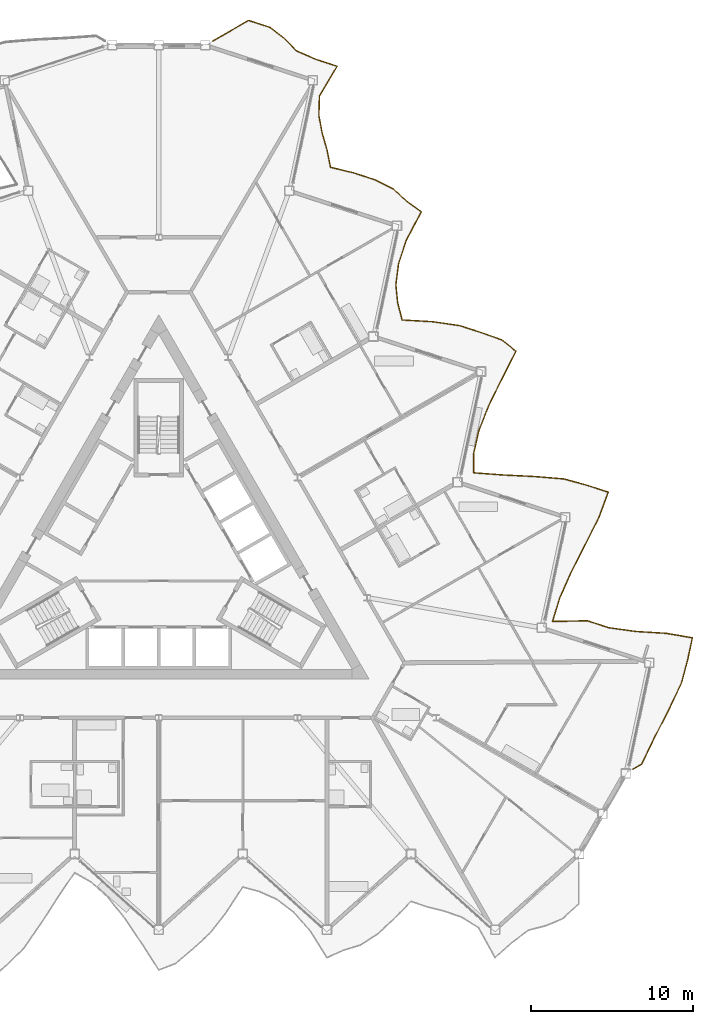
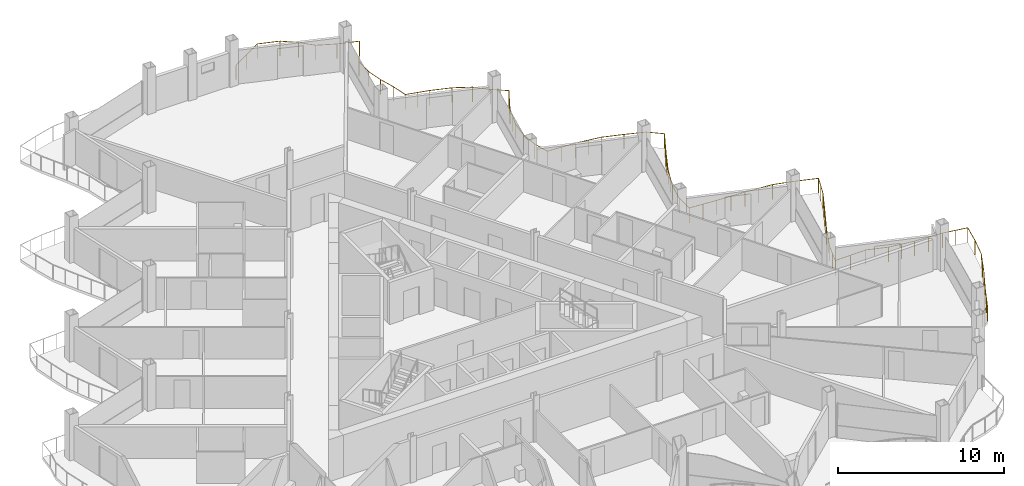
# One storey, part 24 of 26: 1 railing.
"""IFC4 building model written with IfcOpenShell, lengths in metres."""

from ifc_helpers import new_model, si_unit, direction, frame, origin, origin_2d, place, context, subcontext, project, spatial, circle, extrude, material, type_object, element, save


model = new_model("IFC4")

# Units and contexts
model_context = context("Model", 3, precision=1e-05, world=origin(), true_north=direction((0.0, 1.0)))
body_context = subcontext(model_context, "Body", "Model", "MODEL_VIEW")
ifc_project = project(units=[si_unit("LENGTHUNIT", "METRE"), si_unit("AREAUNIT", "SQUARE_METRE"), si_unit("VOLUMEUNIT", "CUBIC_METRE"), si_unit("PLANEANGLEUNIT", "RADIAN"), si_unit("MASSUNIT", "GRAM", prefix="KILO")], contexts=[model_context])

# Site, building, storey
site_placement = place(None, origin())
site = spatial("IfcSite", under=ifc_project, at=site_placement, CompositionType="ELEMENT")
building_placement = place(site_placement, origin())
building = spatial("IfcBuilding", under=site, at=building_placement, Name="Cormorant Prow Tower", CompositionType="ELEMENT")
storey_placement = place(building_placement, frame((0.0, 0.0, 342.60009765625)))
storey = spatial("IfcBuildingStorey", under=building, at=storey_placement, Name="L77", CompositionType="ELEMENT", Elevation=342.60009765625)

# Railing
ifc_material = material(Name="Aluminium 6063-T6", Category="aluminium")
railing_type = type_object("IfcRailingType", Name="Balcony guard 1100", PredefinedType="GUARDRAIL", material=ifc_material)
railing_placement = place(storey_placement, frame((29.314453125, -13.083251953125, 0.0)))
element("IfcRailing", 1, at=railing_placement, inside=storey, type_object=railing_type, Name="Balcony guard ENE", PredefinedType="GUARDRAIL", context=body_context, shape_type="SweptSolid", body=[
    extrude(circle(Radius=0.02392578125, at=origin_2d()), frame((0.0, 0.0, 1.076171875), z_axis=(0.866038622153, 0.499977104415, 0.0), x_axis=(-0.499977104415, 0.866038622153, 0.0)), (0.0, 0.0, 1.0), 0.63623046875),
    extrude(circle(Radius=0.02392578125, at=origin_2d()), frame((0.551025390625, 0.318115234375, 1.076171875), z_axis=(0.434641889861, 0.900603368624, 0.0), x_axis=(-0.900603368624, 0.434641889861, 0.0)), (0.0, 0.0, 1.0), 1.847412109375),
    extrude(circle(Radius=0.02392578125, at=origin_2d()), frame((1.35400390625, 1.98193359375, 1.076171875), z_axis=(0.45725891773, 0.889333616904, 0.0), x_axis=(-0.889333616904, 0.45725891773, 0.0)), (0.0, 0.0, 1.0), 1.91943359375),
    extrude(circle(Radius=0.02392578125, at=origin_2d()), frame((2.231689453125, 3.68896484375, 1.076171875), z_axis=(0.426981999454, 0.904260124158, 0.0), x_axis=(-0.904260124158, 0.426981999454, 0.0)), (0.0, 0.0, 1.0), 1.8251953125),
    extrude(circle(Radius=0.02392578125, at=origin_2d()), frame((3.010986328125, 5.33935546875, 1.076171875), z_axis=(0.25756950432, 0.96625977379, 0.0), x_axis=(-0.96625977379, 0.25756950432, 0.0)), (0.0, 0.0, 1.0), 1.46826171875),
    extrude(circle(Radius=0.02392578125, at=origin_2d()), frame((3.38916015625, 6.758056640625, 1.076171875), z_axis=(0.207883806398, 0.978153527335, 0.0), x_axis=(-0.978153527335, 0.207883806398, 0.0)), (0.0, 0.0, 1.0), 1.398681640625),
    extrude(circle(Radius=0.02392578125, at=origin_2d()), frame((3.679931640625, 8.126220703125, 1.076171875), z_axis=(-0.985447965117, 0.169977375103, 0.0), x_axis=(-0.169977375103, -0.985447965117, 0.0)), (0.0, 0.0, 1.0), 1.62451171875),
    extrude(circle(Radius=0.02392578125, at=origin_2d()), frame((2.0791015625, 8.40234375, 1.076171875), z_axis=(-0.998151623304, 0.060772830239, 0.0), x_axis=(-0.060772830239, -0.998151623304, 0.0)), (0.0, 0.0, 1.0), 1.884033203125),
    extrude(circle(Radius=0.02392578125, at=origin_2d()), frame((0.198486328125, 8.516845703125, 1.076171875), z_axis=(-0.990648679715, 0.136437507227, 0.0), x_axis=(-0.136437507227, -0.990648679715, 0.0)), (0.0, 0.0, 1.0), 1.694580078125),
    extrude(circle(Radius=0.02392578125, at=origin_2d()), frame((-1.480224609375, 8.748046875, 1.076171875), z_axis=(-0.951081516476, 0.308940041138, 0.0), x_axis=(-0.308940041138, -0.951081516476, 0.0)), (0.0, 0.0, 1.0), 1.398681640625),
    extrude(circle(Radius=0.02392578125, at=origin_2d()), frame((-2.810546875, 9.18017578125, 1.076171875), z_axis=(-0.999803175489, -0.019839613982, 0.0), x_axis=(0.019839613982, -0.999803175489, 0.0)), (0.0, 0.0, 1.0), 2.153564453125),
    extrude(circle(Radius=0.02392578125, at=origin_2d()), frame((-4.963623046875, 9.137451171875, 1.076171875), z_axis=(0.293186056396, 0.956055404427, 0.0), x_axis=(-0.956055404427, 0.293186056396, 0.0)), (0.0, 0.0, 1.0), 1.525634765625),
    extrude(circle(Radius=0.02392578125, at=origin_2d()), frame((-4.516357421875, 10.595947265625, 1.076171875), z_axis=(0.406970583196, 0.913441264895, 0.0), x_axis=(-0.913441264895, 0.406970583196, 0.0)), (0.0, 0.0, 1.0), 1.76904296875),
    extrude(circle(Radius=0.02392578125, at=origin_2d()), frame((-3.79638671875, 12.2119140625, 1.076171875), z_axis=(0.453803116739, 0.891101975779, 0.0), x_axis=(-0.891101975779, 0.453803116739, 0.0)), (0.0, 0.0, 1.0), 1.908203125),
    extrude(circle(Radius=0.02392578125, at=origin_2d()), frame((-2.930419921875, 13.912353515625, 1.076171875), z_axis=(0.447006456277, 0.894530730633, 0.0), x_axis=(-0.894530730633, 0.447006456277, 0.0)), (0.0, 0.0, 1.0), 1.885986328125),
    extrude(circle(Radius=0.02392578125, at=origin_2d()), frame((-2.08740234375, 15.599365234375, 1.076171875), z_axis=(0.349155386172, 0.937064841037, 0.0), x_axis=(-0.937064841037, 0.349155386172, 0.0)), (0.0, 0.0, 1.0), 1.632080078125),
    extrude(circle(Radius=0.02392578125, at=origin_2d()), frame((-1.517578125, 17.128662109375, 1.076171875), z_axis=(-0.951081516476, 0.308940041138, 0.0), x_axis=(-0.308940041138, -0.951081516476, 0.0)), (0.0, 0.0, 1.0), 1.398681640625),
    extrude(circle(Radius=0.02392578125, at=origin_2d()), frame((-2.847900390625, 17.560791015625, 1.076171875), z_axis=(-0.9645979997, 0.263724665085, 0.0), x_axis=(-0.263724665085, -0.9645979997, 0.0)), (0.0, 0.0, 1.0), 1.462646484375),
    extrude(circle(Radius=0.02392578125, at=origin_2d()), frame((-4.2587890625, 17.946533203125, 1.076171875), z_axis=(-0.996510558329, 0.083466802613, 0.0), x_axis=(-0.083466802613, -0.996510558329, 0.0)), (0.0, 0.0, 1.0), 1.822265625),
    extrude(circle(Radius=0.02392578125, at=origin_2d()), frame((-6.07470703125, 18.0986328125, 1.076171875), z_axis=(-0.998812200116, 0.048725649299, 0.0), x_axis=(-0.048725649299, -0.998812200116, 0.0)), (0.0, 0.0, 1.0), 1.9189453125),
    extrude(circle(Radius=0.02392578125, at=origin_2d()), frame((-7.991455078125, 18.192138671875, 1.076171875), z_axis=(-0.997334660362, 0.072962834658, 0.0), x_axis=(-0.072962834658, -0.997334660362, 0.0)), (0.0, 0.0, 1.0), 1.850341796875),
    extrude(circle(Radius=0.02392578125, at=origin_2d()), frame((-9.8369140625, 18.3271484375, 1.076171875), z_axis=(-0.000814000544, 0.999999668702, 0.0), x_axis=(-0.999999668702, -0.000814000544, 0.0)), (0.0, 0.0, 1.0), 1.19970703125),
    extrude(circle(Radius=0.02392578125, at=origin_2d()), frame((-9.837890625, 19.52685546875, 1.076171875), z_axis=(0.218047150156, 0.975938235909, 0.0), x_axis=(-0.975938235909, 0.218047150156, 0.0)), (0.0, 0.0, 1.0), 1.411865234375),
    extrude(circle(Radius=0.02392578125, at=origin_2d()), frame((-9.530029296875, 20.90478515625, 1.076171875), z_axis=(0.366394114168, 0.930459753618, 0.0), x_axis=(-0.930459753618, 0.366394114168, 0.0)), (0.0, 0.0, 1.0), 1.669921875),
    extrude(circle(Radius=0.02392578125, at=origin_2d()), frame((-8.918212890625, 22.45849609375, 1.076171875), z_axis=(0.440341382194, 0.897830422256, 0.0), x_axis=(-0.897830422256, 0.440341382194, 0.0)), (0.0, 0.0, 1.0), 1.865234375),
    extrude(circle(Radius=0.02392578125, at=origin_2d()), frame((-8.096923828125, 24.133056640625, 1.076171875), z_axis=(0.456464066587, 0.889741847906, 0.0), x_axis=(-0.889741847906, 0.456464066587, 0.0)), (0.0, 0.0, 1.0), 1.916259765625),
    extrude(circle(Radius=0.02392578125, at=origin_2d()), frame((-7.22216796875, 25.838134765625, 1.076171875), z_axis=(-0.776744150773, 0.629816262287, 0.0), x_axis=(-0.629816262287, -0.776744150773, 0.0)), (0.0, 0.0, 1.0), 1.11328125),
    extrude(circle(Radius=0.02392578125, at=origin_2d()), frame((-8.0869140625, 26.539306640625, 1.076171875), z_axis=(-0.942719681035, 0.333585975407, 0.0), x_axis=(-0.333585975407, -0.942719681035, 0.0)), (0.0, 0.0, 1.0), 1.3671875),
    extrude(circle(Radius=0.02392578125, at=origin_2d()), frame((-9.375732421875, 26.995361328125, 1.076171875), z_axis=(-0.951030220841, 0.309097911747, 0.0), x_axis=(-0.309097911747, -0.951030220841, 0.0)), (0.0, 0.0, 1.0), 1.39892578125),
    extrude(circle(Radius=0.02392578125, at=origin_2d()), frame((-10.7060546875, 27.427734375, 1.076171875), z_axis=(-0.989624068347, 0.143680908086, 0.0), x_axis=(-0.143680908086, -0.989624068347, 0.0)), (0.0, 0.0, 1.0), 1.6787109375),
    extrude(circle(Radius=0.02392578125, at=origin_2d()), frame((-12.367431640625, 27.6689453125, 1.076171875), z_axis=(-0.998401571606, 0.056518154731, 0.0), x_axis=(-0.056518154731, -0.998401571606, 0.0)), (0.0, 0.0, 1.0), 1.896240234375),
    extrude(circle(Radius=0.02392578125, at=origin_2d()), frame((-14.2607421875, 27.776123046875, 1.076171875), z_axis=(-0.256914560782, 0.966434120082, 0.0), x_axis=(-0.966434120082, -0.256914560782, 0.0)), (0.0, 0.0, 1.0), 1.07666015625),
    extrude(circle(Radius=0.02392578125, at=origin_2d()), frame((-14.537353515625, 28.816650390625, 1.076171875), z_axis=(-0.099991293683, 0.994988312086, 0.0), x_axis=(-0.994988312086, -0.099991293683, 0.0)), (0.0, 0.0, 1.0), 1.14013671875),
    extrude(circle(Radius=0.02392578125, at=origin_2d()), frame((-14.6513671875, 29.951171875, 1.076171875), z_axis=(0.127894322979, 0.991787800968, 0.0), x_axis=(-0.991787800968, 0.127894322979, 0.0)), (0.0, 0.0, 1.0), 1.3076171875),
    extrude(circle(Radius=0.02392578125, at=origin_2d()), frame((-14.484130859375, 31.248046875, 1.076171875), z_axis=(0.311476454187, 0.950253870546, 0.0), x_axis=(-0.950253870546, 0.311476454187, 0.0)), (0.0, 0.0, 1.0), 1.558349609375),
    extrude(circle(Radius=0.02392578125, at=origin_2d()), frame((-13.998779296875, 32.728759765625, 1.076171875), z_axis=(0.468437733675, 0.883496513672, 0.0), x_axis=(-0.883496513672, 0.468437733675, 0.0)), (0.0, 0.0, 1.0), 1.95751953125),
    extrude(circle(Radius=0.02392578125, at=origin_2d()), frame((-13.081787109375, 34.458251953125, 1.076171875), z_axis=(-0.808420355439, 0.588605580089, 0.0), x_axis=(-0.588605580089, -0.808420355439, 0.0)), (0.0, 0.0, 1.0), 1.13720703125),
    extrude(circle(Radius=0.02392578125, at=origin_2d()), frame((-14.001220703125, 35.127685546875, 1.076171875), z_axis=(-0.729873487252, 0.683582250067, 0.0), x_axis=(-0.683582250067, -0.729873487252, 0.0)), (0.0, 0.0, 1.0), 1.08642578125),
    extrude(circle(Radius=0.02392578125, at=origin_2d()), frame((-14.794189453125, 35.870361328125, 1.076171875), z_axis=(-0.8928895887, 0.450275673773, 0.0), x_axis=(-0.450275673773, -0.8928895887, 0.0)), (0.0, 0.0, 1.0), 1.24267578125),
    extrude(circle(Radius=0.02392578125, at=origin_2d()), frame((-15.90380859375, 36.429931640625, 1.076171875), z_axis=(-0.951030220841, 0.309097911747, 0.0), x_axis=(-0.309097911747, -0.951030220841, 0.0)), (0.0, 0.0, 1.0), 1.39892578125),
    extrude(circle(Radius=0.02392578125, at=origin_2d()), frame((-17.234130859375, 36.8623046875, 1.076171875), z_axis=(-0.971268964327, 0.237984451035, 0.0), x_axis=(-0.237984451035, -0.971268964327, 0.0)), (0.0, 0.0, 1.0), 1.5029296875),
    extrude(circle(Radius=0.02392578125, at=origin_2d()), frame((-18.69384765625, 37.219970703125, 1.076171875), z_axis=(-0.19675814238, 0.980452055639, 0.0), x_axis=(-0.980452055639, -0.19675814238, 0.0)), (0.0, 0.0, 1.0), 1.096923828125),
    extrude(circle(Radius=0.02392578125, at=origin_2d()), frame((-18.90966796875, 38.29541015625, 1.076171875), z_axis=(-0.276707405662, 0.960954219332, 0.0), x_axis=(-0.960954219332, -0.276707405662, 0.0)), (0.0, 0.0, 1.0), 1.071044921875),
    extrude(circle(Radius=0.02392578125, at=origin_2d()), frame((-19.2060546875, 39.32470703125, 1.076171875), z_axis=(-0.185024316184, 0.982733942845, 0.0), x_axis=(-0.982733942845, -0.185024316184, 0.0)), (0.0, 0.0, 1.0), 1.101806640625),
    extrude(circle(Radius=0.02392578125, at=origin_2d()), frame((-19.409912109375, 40.407470703125, 1.076171875), z_axis=(0.028005820775, 0.999607760075, 0.0), x_axis=(-0.999607760075, 0.028005820775, 0.0)), (0.0, 0.0, 1.0), 1.220458984375),
    extrude(circle(Radius=0.02392578125, at=origin_2d()), frame((-19.375732421875, 41.62744140625, 1.076171875), z_axis=(0.513285093144, 0.858218161749, 0.0), x_axis=(-0.858218161749, 0.513285093144, 0.0)), (0.0, 0.0, 1.0), 2.13623046875),
    extrude(circle(Radius=0.02392578125, at=origin_2d()), frame((-18.279296875, 43.460693359375, 1.076171875), z_axis=(-0.951046891837, 0.309046613843, 0.0), x_axis=(-0.309046613843, -0.951046891837, 0.0)), (0.0, 0.0, 1.0), 1.399169921875),
    extrude(circle(Radius=0.02392578125, at=origin_2d()), frame((-19.60986328125, 43.89306640625, 1.076171875), z_axis=(-0.915189260357, 0.403024338878, 0.0), x_axis=(-0.403024338878, -0.915189260357, 0.0)), (0.0, 0.0, 1.0), 1.28857421875),
    extrude(circle(Radius=0.02392578125, at=origin_2d()), frame((-20.7890625, 44.412353515625, 1.076171875), z_axis=(-0.700596395367, 0.71355776977, 0.0), x_axis=(-0.71355776977, -0.700596395367, 0.0)), (0.0, 0.0, 1.0), 1.07373046875),
    extrude(circle(Radius=0.02392578125, at=origin_2d()), frame((-21.541259765625, 45.178466796875, 1.076171875), z_axis=(-0.79203426135, 0.610476640706, 0.0), x_axis=(-0.610476640706, -0.79203426135, 0.0)), (0.0, 0.0, 1.0), 1.124267578125),
    extrude(circle(Radius=0.02392578125, at=origin_2d()), frame((-22.431640625, 45.86474609375, 1.076171875), z_axis=(-0.951081516476, 0.308940041138, 0.0), x_axis=(-0.308940041138, -0.951081516476, 0.0)), (0.0, 0.0, 1.0), 1.398681640625),
    extrude(circle(Radius=0.02392578125, at=origin_2d()), frame((-23.761962890625, 46.296875, 1.076171875), z_axis=(-0.866030548046, -0.499991089772, 0.0), x_axis=(0.499991089772, -0.866030548046, 0.0)), (0.0, 0.0, 1.0), 2.56982421875),
    extrude(circle(Radius=0.02099609375, at=origin_2d()), origin(), (0.0, 0.0, 1.0), 1.052001953125),
    extrude(circle(Radius=0.02099609375, at=origin_2d()), frame((0.551025390625, 0.318115234375, 0.0)), (0.0, 0.0, 1.0), 1.052001953125),
    extrude(circle(Radius=0.02099609375, at=origin_2d()), frame((0.95263671875, 1.14990234375, 0.0)), (0.0, 0.0, 1.0), 1.052001953125),
    extrude(circle(Radius=0.02099609375, at=origin_2d()), frame((1.35400390625, 1.98193359375, 0.0)), (0.0, 0.0, 1.0), 1.052001953125),
    extrude(circle(Radius=0.02099609375, at=origin_2d()), frame((1.79296875, 2.83544921875, 0.0)), (0.0, 0.0, 1.0), 1.052001953125),
    extrude(circle(Radius=0.02099609375, at=origin_2d()), frame((2.231689453125, 3.68896484375, 0.0)), (0.0, 0.0, 1.0), 1.052001953125),
    extrude(circle(Radius=0.02099609375, at=origin_2d()), frame((2.621337890625, 4.51416015625, 0.0)), (0.0, 0.0, 1.0), 1.052001953125),
    extrude(circle(Radius=0.02099609375, at=origin_2d()), frame((3.010986328125, 5.33935546875, 0.0)), (0.0, 0.0, 1.0), 1.052001953125),
    extrude(circle(Radius=0.02099609375, at=origin_2d()), frame((3.38916015625, 6.758056640625, 0.0)), (0.0, 0.0, 1.0), 1.052001953125),
    extrude(circle(Radius=0.02099609375, at=origin_2d()), frame((3.679931640625, 8.126220703125, 0.0)), (0.0, 0.0, 1.0), 1.052001953125),
    extrude(circle(Radius=0.02099609375, at=origin_2d()), frame((2.87939453125, 8.26416015625, 0.0)), (0.0, 0.0, 1.0), 1.052001953125),
    extrude(circle(Radius=0.02099609375, at=origin_2d()), frame((2.0791015625, 8.40234375, 0.0)), (0.0, 0.0, 1.0), 1.052001953125),
    extrude(circle(Radius=0.02099609375, at=origin_2d()), frame((1.138671875, 8.45947265625, 0.0)), (0.0, 0.0, 1.0), 1.052001953125),
    extrude(circle(Radius=0.02099609375, at=origin_2d()), frame((0.198486328125, 8.516845703125, 0.0)), (0.0, 0.0, 1.0), 1.052001953125),
    extrude(circle(Radius=0.02099609375, at=origin_2d()), frame((-0.640869140625, 8.63232421875, 0.0)), (0.0, 0.0, 1.0), 1.052001953125),
    extrude(circle(Radius=0.02099609375, at=origin_2d()), frame((-1.480224609375, 8.748046875, 0.0)), (0.0, 0.0, 1.0), 1.052001953125),
    extrude(circle(Radius=0.02099609375, at=origin_2d()), frame((-2.810546875, 9.18017578125, 0.0)), (0.0, 0.0, 1.0), 1.052001953125),
    extrude(circle(Radius=0.02099609375, at=origin_2d()), frame((-3.88720703125, 9.15869140625, 0.0)), (0.0, 0.0, 1.0), 1.052001953125),
    extrude(circle(Radius=0.02099609375, at=origin_2d()), frame((-4.963623046875, 9.137451171875, 0.0)), (0.0, 0.0, 1.0), 1.052001953125),
    extrude(circle(Radius=0.02099609375, at=origin_2d()), frame((-4.739990234375, 9.86669921875, 0.0)), (0.0, 0.0, 1.0), 1.052001953125),
    extrude(circle(Radius=0.02099609375, at=origin_2d()), frame((-4.516357421875, 10.595947265625, 0.0)), (0.0, 0.0, 1.0), 1.052001953125),
    extrude(circle(Radius=0.02099609375, at=origin_2d()), frame((-4.15625, 11.40380859375, 0.0)), (0.0, 0.0, 1.0), 1.052001953125),
    extrude(circle(Radius=0.02099609375, at=origin_2d()), frame((-3.79638671875, 12.2119140625, 0.0)), (0.0, 0.0, 1.0), 1.052001953125),
    extrude(circle(Radius=0.02099609375, at=origin_2d()), frame((-3.36328125, 13.06201171875, 0.0)), (0.0, 0.0, 1.0), 1.052001953125),
    extrude(circle(Radius=0.02099609375, at=origin_2d()), frame((-2.930419921875, 13.912353515625, 0.0)), (0.0, 0.0, 1.0), 1.052001953125),
    extrude(circle(Radius=0.02099609375, at=origin_2d()), frame((-2.5087890625, 14.755859375, 0.0)), (0.0, 0.0, 1.0), 1.052001953125),
    extrude(circle(Radius=0.02099609375, at=origin_2d()), frame((-2.08740234375, 15.599365234375, 0.0)), (0.0, 0.0, 1.0), 1.052001953125),
    extrude(circle(Radius=0.02099609375, at=origin_2d()), frame((-1.802490234375, 16.364013671875, 0.0)), (0.0, 0.0, 1.0), 1.052001953125),
    extrude(circle(Radius=0.02099609375, at=origin_2d()), frame((-1.517578125, 17.128662109375, 0.0)), (0.0, 0.0, 1.0), 1.052001953125),
    extrude(circle(Radius=0.02099609375, at=origin_2d()), frame((-2.847900390625, 17.560791015625, 0.0)), (0.0, 0.0, 1.0), 1.052001953125),
    extrude(circle(Radius=0.02099609375, at=origin_2d()), frame((-4.2587890625, 17.946533203125, 0.0)), (0.0, 0.0, 1.0), 1.052001953125),
    extrude(circle(Radius=0.02099609375, at=origin_2d()), frame((-5.166748046875, 18.0224609375, 0.0)), (0.0, 0.0, 1.0), 1.052001953125),
    extrude(circle(Radius=0.02099609375, at=origin_2d()), frame((-6.07470703125, 18.0986328125, 0.0)), (0.0, 0.0, 1.0), 1.052001953125),
    extrude(circle(Radius=0.02099609375, at=origin_2d()), frame((-7.033203125, 18.1455078125, 0.0)), (0.0, 0.0, 1.0), 1.052001953125),
    extrude(circle(Radius=0.02099609375, at=origin_2d()), frame((-7.991455078125, 18.192138671875, 0.0)), (0.0, 0.0, 1.0), 1.052001953125),
    extrude(circle(Radius=0.02099609375, at=origin_2d()), frame((-8.9140625, 18.259765625, 0.0)), (0.0, 0.0, 1.0), 1.052001953125),
    extrude(circle(Radius=0.02099609375, at=origin_2d()), frame((-9.8369140625, 18.3271484375, 0.0)), (0.0, 0.0, 1.0), 1.052001953125),
    extrude(circle(Radius=0.02099609375, at=origin_2d()), frame((-9.837890625, 19.52685546875, 0.0)), (0.0, 0.0, 1.0), 1.052001953125),
    extrude(circle(Radius=0.02099609375, at=origin_2d()), frame((-9.530029296875, 20.90478515625, 0.0)), (0.0, 0.0, 1.0), 1.052001953125),
    extrude(circle(Radius=0.02099609375, at=origin_2d()), frame((-9.22412109375, 21.681640625, 0.0)), (0.0, 0.0, 1.0), 1.052001953125),
    extrude(circle(Radius=0.02099609375, at=origin_2d()), frame((-8.918212890625, 22.45849609375, 0.0)), (0.0, 0.0, 1.0), 1.052001953125),
    extrude(circle(Radius=0.02099609375, at=origin_2d()), frame((-8.507568359375, 23.2958984375, 0.0)), (0.0, 0.0, 1.0), 1.052001953125),
    extrude(circle(Radius=0.02099609375, at=origin_2d()), frame((-8.096923828125, 24.133056640625, 0.0)), (0.0, 0.0, 1.0), 1.052001953125),
    extrude(circle(Radius=0.02099609375, at=origin_2d()), frame((-7.65966796875, 24.985595703125, 0.0)), (0.0, 0.0, 1.0), 1.052001953125),
    extrude(circle(Radius=0.02099609375, at=origin_2d()), frame((-7.22216796875, 25.838134765625, 0.0)), (0.0, 0.0, 1.0), 1.052001953125),
    extrude(circle(Radius=0.02099609375, at=origin_2d()), frame((-8.0869140625, 26.539306640625, 0.0)), (0.0, 0.0, 1.0), 1.052001953125),
    extrude(circle(Radius=0.02099609375, at=origin_2d()), frame((-9.375732421875, 26.995361328125, 0.0)), (0.0, 0.0, 1.0), 1.052001953125),
    extrude(circle(Radius=0.02099609375, at=origin_2d()), frame((-10.7060546875, 27.427734375, 0.0)), (0.0, 0.0, 1.0), 1.052001953125),
    extrude(circle(Radius=0.02099609375, at=origin_2d()), frame((-11.53662109375, 27.54833984375, 0.0)), (0.0, 0.0, 1.0), 1.052001953125),
    extrude(circle(Radius=0.02099609375, at=origin_2d()), frame((-12.367431640625, 27.6689453125, 0.0)), (0.0, 0.0, 1.0), 1.052001953125),
    extrude(circle(Radius=0.02099609375, at=origin_2d()), frame((-13.31396484375, 27.72265625, 0.0)), (0.0, 0.0, 1.0), 1.052001953125),
    extrude(circle(Radius=0.02099609375, at=origin_2d()), frame((-14.2607421875, 27.776123046875, 0.0)), (0.0, 0.0, 1.0), 1.052001953125),
    extrude(circle(Radius=0.02099609375, at=origin_2d()), frame((-14.537353515625, 28.816650390625, 0.0)), (0.0, 0.0, 1.0), 1.052001953125),
    extrude(circle(Radius=0.02099609375, at=origin_2d()), frame((-14.6513671875, 29.951171875, 0.0)), (0.0, 0.0, 1.0), 1.052001953125),
    extrude(circle(Radius=0.02099609375, at=origin_2d()), frame((-14.484130859375, 31.248046875, 0.0)), (0.0, 0.0, 1.0), 1.052001953125),
    extrude(circle(Radius=0.02099609375, at=origin_2d()), frame((-14.241455078125, 31.98828125, 0.0)), (0.0, 0.0, 1.0), 1.052001953125),
    extrude(circle(Radius=0.02099609375, at=origin_2d()), frame((-13.998779296875, 32.728759765625, 0.0)), (0.0, 0.0, 1.0), 1.052001953125),
    extrude(circle(Radius=0.02099609375, at=origin_2d()), frame((-13.540283203125, 33.593505859375, 0.0)), (0.0, 0.0, 1.0), 1.052001953125),
    extrude(circle(Radius=0.02099609375, at=origin_2d()), frame((-13.081787109375, 34.458251953125, 0.0)), (0.0, 0.0, 1.0), 1.052001953125),
    extrude(circle(Radius=0.02099609375, at=origin_2d()), frame((-14.001220703125, 35.127685546875, 0.0)), (0.0, 0.0, 1.0), 1.052001953125),
    extrude(circle(Radius=0.02099609375, at=origin_2d()), frame((-14.794189453125, 35.870361328125, 0.0)), (0.0, 0.0, 1.0), 1.052001953125),
    extrude(circle(Radius=0.02099609375, at=origin_2d()), frame((-15.90380859375, 36.429931640625, 0.0)), (0.0, 0.0, 1.0), 1.052001953125),
    extrude(circle(Radius=0.02099609375, at=origin_2d()), frame((-17.234130859375, 36.8623046875, 0.0)), (0.0, 0.0, 1.0), 1.052001953125),
    extrude(circle(Radius=0.02099609375, at=origin_2d()), frame((-17.9638671875, 37.041015625, 0.0)), (0.0, 0.0, 1.0), 1.052001953125),
    extrude(circle(Radius=0.02099609375, at=origin_2d()), frame((-18.69384765625, 37.219970703125, 0.0)), (0.0, 0.0, 1.0), 1.052001953125),
    extrude(circle(Radius=0.02099609375, at=origin_2d()), frame((-18.90966796875, 38.29541015625, 0.0)), (0.0, 0.0, 1.0), 1.052001953125),
    extrude(circle(Radius=0.02099609375, at=origin_2d()), frame((-19.2060546875, 39.32470703125, 0.0)), (0.0, 0.0, 1.0), 1.052001953125),
    extrude(circle(Radius=0.02099609375, at=origin_2d()), frame((-19.409912109375, 40.407470703125, 0.0)), (0.0, 0.0, 1.0), 1.052001953125),
    extrude(circle(Radius=0.02099609375, at=origin_2d()), frame((-19.375732421875, 41.62744140625, 0.0)), (0.0, 0.0, 1.0), 1.052001953125),
    extrude(circle(Radius=0.02099609375, at=origin_2d()), frame((-18.82763671875, 42.5439453125, 0.0)), (0.0, 0.0, 1.0), 1.052001953125),
    extrude(circle(Radius=0.02099609375, at=origin_2d()), frame((-18.279296875, 43.460693359375, 0.0)), (0.0, 0.0, 1.0), 1.052001953125),
    extrude(circle(Radius=0.02099609375, at=origin_2d()), frame((-19.60986328125, 43.89306640625, 0.0)), (0.0, 0.0, 1.0), 1.052001953125),
    extrude(circle(Radius=0.02099609375, at=origin_2d()), frame((-20.7890625, 44.412353515625, 0.0)), (0.0, 0.0, 1.0), 1.052001953125),
    extrude(circle(Radius=0.02099609375, at=origin_2d()), frame((-21.541259765625, 45.178466796875, 0.0)), (0.0, 0.0, 1.0), 1.052001953125),
    extrude(circle(Radius=0.02099609375, at=origin_2d()), frame((-22.431640625, 45.86474609375, 0.0)), (0.0, 0.0, 1.0), 1.052001953125),
    extrude(circle(Radius=0.02099609375, at=origin_2d()), frame((-23.761962890625, 46.296875, 0.0)), (0.0, 0.0, 1.0), 1.052001953125),
    extrude(circle(Radius=0.02099609375, at=origin_2d()), frame((-24.874755859375, 45.654296875, 0.0)), (0.0, 0.0, 1.0), 1.052001953125),
    extrude(circle(Radius=0.02099609375, at=origin_2d()), frame((-25.987548828125, 45.011962890625, 0.0)), (0.0, 0.0, 1.0), 1.052001953125),
])

save(model, "model.ifc")
